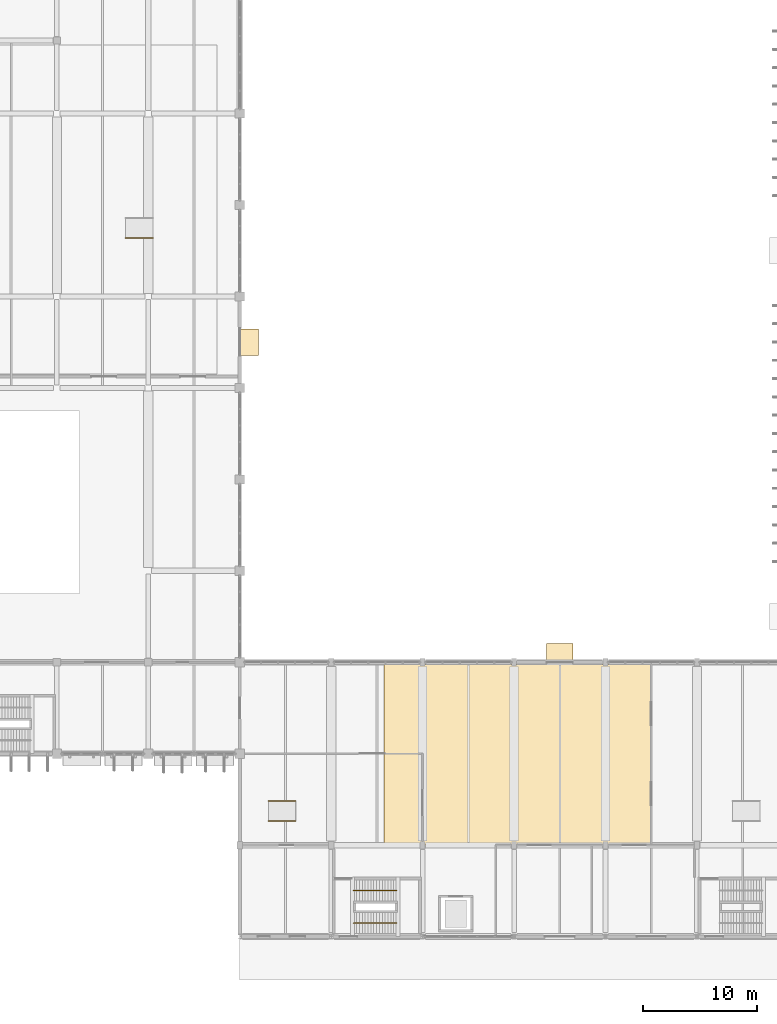
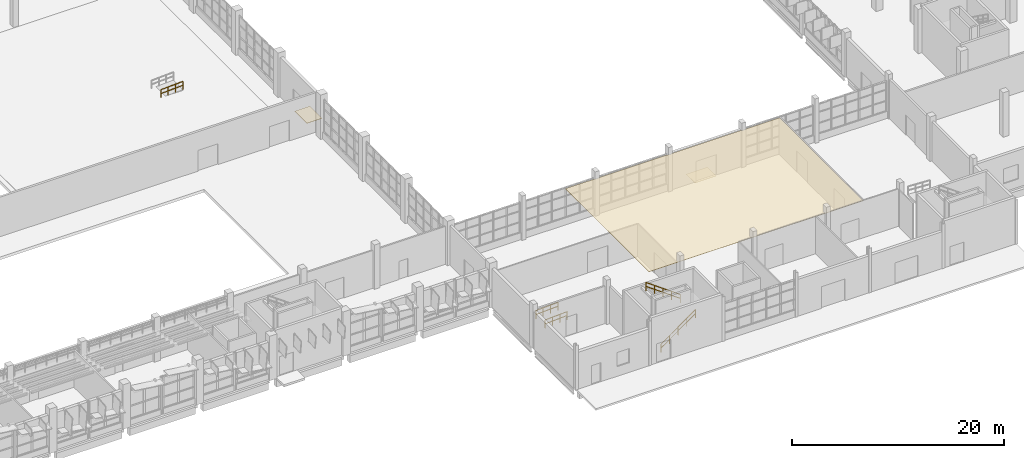
# One storey, part 96 of 103: 5 railings, 3 coverings.
"""IFC4 building model written with IfcOpenShell, lengths in metres."""

from ifc_helpers import new_model, si_unit, direction, frame, origin, origin_2d, place, context, subcontext, project, spatial, polyline, circle, outline, extrude, material, layer, layer_set, type_object, element, save


model = new_model("IFC4")

# Units and contexts
model_context = context("Model", 3, precision=1e-05, world=origin(), true_north=direction((0.0, 1.0)))
body_context = subcontext(model_context, "Body", "Model", "MODEL_VIEW")
ifc_project = project(units=[si_unit("LENGTHUNIT", "METRE"), si_unit("AREAUNIT", "SQUARE_METRE"), si_unit("VOLUMEUNIT", "CUBIC_METRE"), si_unit("PLANEANGLEUNIT", "RADIAN"), si_unit("MASSUNIT", "GRAM", prefix="KILO")], contexts=[model_context])

# Site, building, storey
site_placement = place(None, origin())
site = spatial("IfcSite", under=ifc_project, at=site_placement, CompositionType="ELEMENT")
building_placement = place(site_placement, origin())
building = spatial("IfcBuilding", under=site, at=building_placement, Name="Drelvana Railside Aquatics Centre", CompositionType="ELEMENT")
storey_placement = place(building_placement, origin())
storey = spatial("IfcBuildingStorey", under=building, at=storey_placement, Name="L00", CompositionType="ELEMENT", Elevation=0.0)

# Coverings
ifc_material_1 = material(Name="Moisture-resistant perforated acoustic timber ceiling", Category="wood")
ifc_layer_1 = layer(ifc_material_1, 0.034912109375, Name="Moisture-resistant perforated acoustic timber ceiling")
ifc_layer_set_1 = layer_set([ifc_layer_1], Name="Moisture-resistant perforated acoustic timber ceiling")
covering_type_1 = type_object("IfcCoveringType", Name="COV-CEIL-ACOUSTIC", PredefinedType="CEILING", material=ifc_layer_set_1)
covering_1_placement = place(storey_placement, frame((0.0, 0.0, 4.199951171875)))
element("IfcCovering", 1, at=covering_1_placement, inside=storey, type_object=covering_type_1, Name="Entrance Concourse acoustic timber ceiling", PredefinedType="CEILING", context=body_context, shape_type="SweptSolid", body=[
    extrude(outline(polyline([(108.60009765625, 8.0), (132.0, 8.0), (132.0, 23.800048828125), (108.60009765625, 23.800048828125), (108.60009765625, 8.0)])), origin(), (0.0, 0.0, 1.0), 0.03515625),
])
ifc_material_2 = material(Name="Catalan trencadis polychrome ceramic mosaic cladding", Category="masonry")
ifc_layer_2 = layer(ifc_material_2, 0.044921875, Name="Catalan trencadis polychrome ceramic mosaic cladding")
ifc_layer_set_2 = layer_set([ifc_layer_2], Name="Catalan trencadis polychrome ceramic mosaic cladding")
covering_type_2 = type_object("IfcCoveringType", Name="COV-CLAD-TRENCADIS", PredefinedType="CLADDING", material=ifc_layer_set_2)
covering_2_placement = place(storey_placement, frame((0.0, 0.0, -0.2548828125)))
element("IfcCovering", 2, at=covering_2_placement, inside=storey, type_object=covering_type_2, Name="Threshold apron bedding trim 007", PredefinedType="CLADDING", context=body_context, shape_type="SweptSolid", body=[
    extrude(outline(polyline([(96.0048828125, 50.85009765625), (97.655029296875, 50.85009765625), (97.655029296875, 53.14990234375), (96.0048828125, 53.14990234375), (96.0048828125, 50.85009765625)])), origin(), (0.0, 0.0, 1.0), 0.044921875),
])
covering_3_placement = place(storey_placement, frame((0.0, 0.0, -0.2548828125)))
element("IfcCovering", 3, at=covering_3_placement, inside=storey, type_object=covering_type_2, Name="Threshold apron bedding trim 011", PredefinedType="CLADDING", context=body_context, shape_type="SweptSolid", body=[
    extrude(outline(polyline([(122.85009765625, 24.0048828125), (125.14990234375, 24.0048828125), (125.14990234375, 25.655029296875), (122.85009765625, 25.655029296875), (122.85009765625, 24.0048828125)])), origin(), (0.0, 0.0, 1.0), 0.044921875),
])

# Railings
ifc_material_3 = material(Name="Brushed stainless steel stair pitch handrail", Category="steel")
railing_type = type_object("IfcRailingType", Name="RAL-HANDRAIL-950", PredefinedType="HANDRAIL", material=ifc_material_3)
railing_1_placement = place(storey_placement, frame((105.969970703125, 1.175048828125, 0.0)))
element("IfcRailing", 4, at=railing_1_placement, inside=storey, type_object=railing_type, Name="Stair ST-04 flight 1 handrail (L00)", PredefinedType="HANDRAIL", context=body_context, shape_type="SweptSolid", body=[
    extrude(circle(Radius=0.02392578125, at=origin_2d()), frame((0.0, 0.0, 0.92578125), z_axis=(0.811539352079, 0.0, 0.584297766578), x_axis=(0.0, 1.0, 0.0)), (0.0, 0.0, 1.0), 4.620849609375),
    extrude(circle(Radius=0.02392578125, at=origin_2d()), frame((0.0, 0.0, 0.47509765625), z_axis=(0.811539352079, 0.0, 0.584297766578), x_axis=(0.0, 1.0, 0.0)), (0.0, 0.0, 1.0), 4.620849609375),
    extrude(circle(Radius=0.02099609375, at=origin_2d()), origin(), (0.0, 0.0, 1.0), 0.90185546875),
    extrude(circle(Radius=0.02099609375, at=origin_2d()), frame((0.9375, 0.0, 0.675048828125)), (0.0, 0.0, 1.0), 0.90185546875),
    extrude(circle(Radius=0.02099609375, at=origin_2d()), frame((1.875, 0.0, 1.35009765625)), (0.0, 0.0, 1.0), 0.90185546875),
    extrude(circle(Radius=0.02099609375, at=origin_2d()), frame((2.8125, 0.0, 2.02490234375)), (0.0, 0.0, 1.0), 0.90185546875),
    extrude(circle(Radius=0.02099609375, at=origin_2d()), frame((3.75, 0.0, 2.699951171875)), (0.0, 0.0, 1.0), 0.90185546875),
])
railing_2_placement = place(storey_placement, frame((109.719970703125, 4.02490234375, 2.699951171875)))
element("IfcRailing", 5, at=railing_2_placement, inside=storey, type_object=railing_type, Name="Stair ST-04 flight 2 handrail (L00)", PredefinedType="HANDRAIL", context=body_context, shape_type="SweptSolid", body=[
    extrude(circle(Radius=0.02392578125, at=origin_2d()), frame((0.0, 0.0, 0.92578125), z_axis=(-0.811539352079, 0.0, 0.584297766578), x_axis=(0.0, -1.0, 0.0)), (0.0, 0.0, 1.0), 4.620849609375),
    extrude(circle(Radius=0.02392578125, at=origin_2d()), frame((0.0, 0.0, 0.47509765625), z_axis=(-0.811539352079, 0.0, 0.584297766578), x_axis=(0.0, -1.0, 0.0)), (0.0, 0.0, 1.0), 4.620849609375),
    extrude(circle(Radius=0.02099609375, at=origin_2d()), origin(), (0.0, 0.0, 1.0), 0.90185546875),
    extrude(circle(Radius=0.02099609375, at=origin_2d()), frame((-0.9375, 0.0, 0.675048828125)), (0.0, 0.0, 1.0), 0.90185546875),
    extrude(circle(Radius=0.02099609375, at=origin_2d()), frame((-1.875, 0.0, 1.35009765625)), (0.0, 0.0, 1.0), 0.90185546875),
    extrude(circle(Radius=0.02099609375, at=origin_2d()), frame((-2.8125, 0.0, 2.02490234375)), (0.0, 0.0, 1.0), 0.90185546875),
    extrude(circle(Radius=0.02099609375, at=origin_2d()), frame((-3.75, 0.0, 2.699951171875)), (0.0, 0.0, 1.0), 0.90185546875),
])
for number, where, name in (
    (6, (98.5, 10.1201171875, 0.0), "Accessible ramp handrail RMP-ARR-W"),
    (7, (98.5, 11.8798828125, 0.0), "Accessible ramp handrail RMP-ARR-W"),
    (8, (86.0, 61.1201171875, 0.0), "Accessible ramp handrail RMP-WC-POOL-E"),
):
    element("IfcRailing", number, at=place(storey_placement, frame(where)), inside=storey, type_object=railing_type, Name=name, PredefinedType="HANDRAIL", context=body_context, shape_type="SweptSolid", body=[
        extrude(circle(Radius=0.02392578125, at=origin_2d()), frame((0.0, 0.0, 0.92578125), z_axis=(0.998749803871, 0.0, 0.049988291303), x_axis=(0.0, 1.0, 0.0)), (0.0, 0.0, 1.0), 2.40283203125),
        extrude(circle(Radius=0.02392578125, at=origin_2d()), frame((0.0, 0.0, 0.47509765625), z_axis=(0.998749803871, 0.0, 0.049988291303), x_axis=(0.0, 1.0, 0.0)), (0.0, 0.0, 1.0), 2.40283203125),
        extrude(circle(Radius=0.02099609375, at=origin_2d()), origin(), (0.0, 0.0, 1.0), 0.90185546875),
        extrude(circle(Radius=0.02099609375, at=origin_2d()), frame((0.800048828125, 0.0, 0.0400390625)), (0.0, 0.0, 1.0), 0.90185546875),
        extrude(circle(Radius=0.02099609375, at=origin_2d()), frame((1.599853515625, 0.0, 0.080078125)), (0.0, 0.0, 1.0), 0.90185546875),
        extrude(circle(Radius=0.02099609375, at=origin_2d()), frame((2.39990234375, 0.0, 0.1201171875)), (0.0, 0.0, 1.0), 0.90185546875),
    ])

save(model, "model.ifc")
